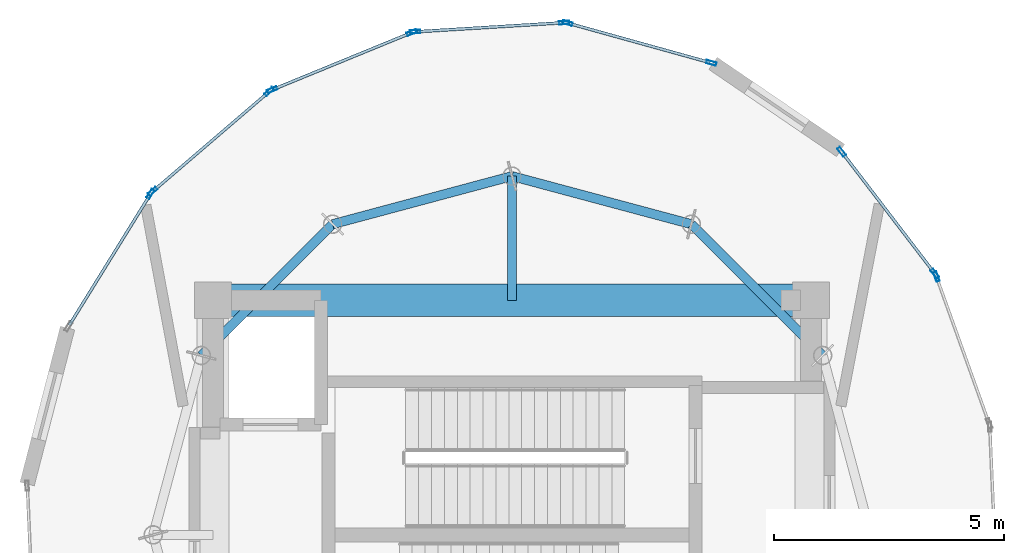
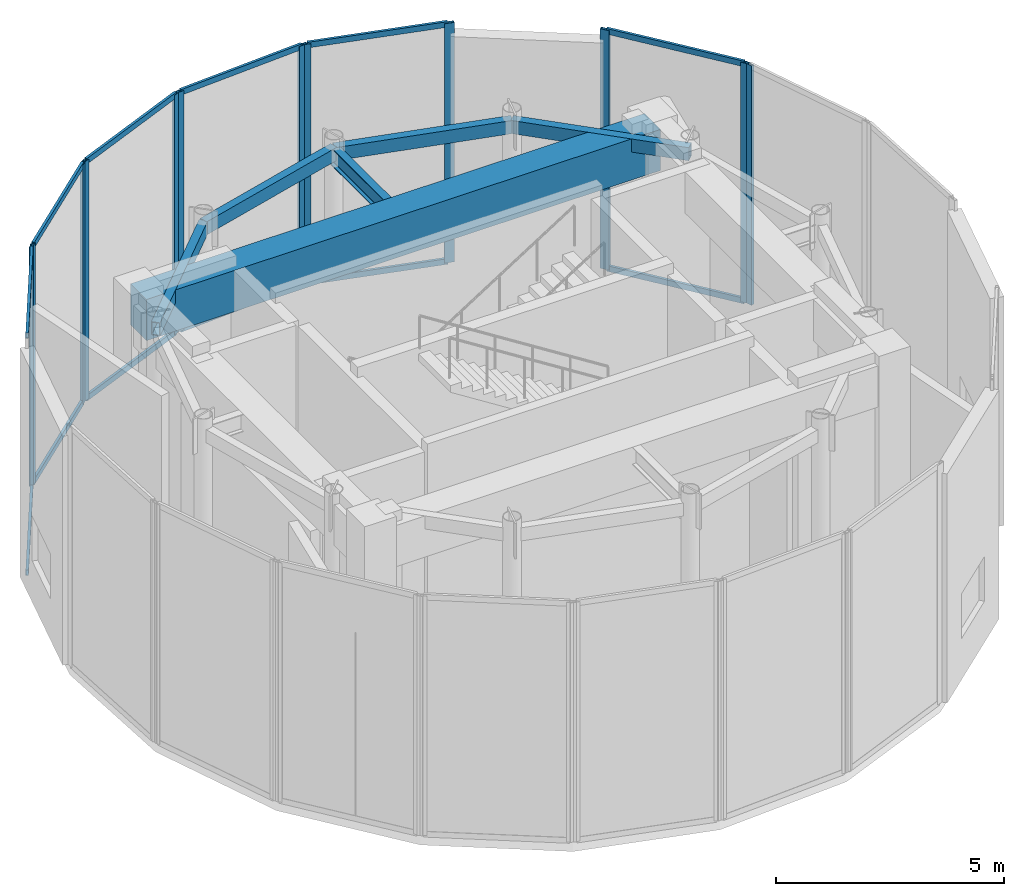
# One storey, part 5 of 8: 24 members, 6 beams, 7 elements without a shape of their own.
"""IFC4 building model written with IfcOpenShell, lengths in metres."""

from ifc_helpers import new_model, si_unit, direction, frame, origin, origin_2d, place, context, subcontext, project, spatial, rectangle, hollow_rectangle, i_section, extrude, source, transform, mapped, material, layer, layer_set, material_profile, profile_set, type_object, element, aggregate, save


model = new_model("IFC4")

# Units and contexts
model_context = context("Model", 3, precision=1e-05, world=origin(), true_north=direction((0.0, 1.0)))
body_context = subcontext(model_context, "Body", "Model", "MODEL_VIEW")
ifc_project = project(units=[si_unit("LENGTHUNIT", "METRE"), si_unit("AREAUNIT", "SQUARE_METRE"), si_unit("VOLUMEUNIT", "CUBIC_METRE"), si_unit("PLANEANGLEUNIT", "RADIAN"), si_unit("MASSUNIT", "GRAM", prefix="KILO")], contexts=[model_context])

# Site, building, storey
site_placement = place(None, origin())
site = spatial("IfcSite", under=ifc_project, at=site_placement, CompositionType="ELEMENT")
building_placement = place(site_placement, origin())
building = spatial("IfcBuilding", under=site, at=building_placement, Name="Solvirekh Grand Hotel", CompositionType="ELEMENT")
storey_placement = place(building_placement, frame((0.0, 0.0, 321.0)))
storey = spatial("IfcBuildingStorey", under=building, at=storey_placement, Name="L81", CompositionType="ELEMENT", Elevation=321.0)

# Beams
ifc_material_1 = material(Name="Concrete C60/75", Category="concrete")
ifc_material_profile_1 = material_profile(ifc_material_1, rectangle(XDim=0.699951171875, YDim=1.10009765625, at=origin_2d()), Name="RC BEAM 700X1100")
ifc_profile_set_1 = profile_set([ifc_material_profile_1], Name="Concrete C60/75")
beam_type_1 = type_object("IfcBeamType", Name="Beam_Core_RC1100", PredefinedType="BEAM", material=ifc_profile_set_1)
beam_1_placement = place(storey_placement, frame((6.5, 5.10009765625, 5.570068359375), z_axis=(-1.0, 0.0, 0.0), x_axis=(0.0, -1.0, 0.0)))
element("IfcBeam", 1, at=beam_1_placement, inside=storey, type_object=beam_type_1, Name="L81 core coupling ring beam 3", PredefinedType="BEAM", context=body_context, shape_type="SweptSolid", body=[
    extrude(rectangle(XDim=0.699951171875, YDim=1.10009765625, at=origin_2d()), origin(), (0.0, 0.0, 1.0), 13.0),
])
ifc_material_2 = material(Name="Steel S355", Category="steel")
ifc_material_profile_2 = material_profile(ifc_material_2, i_section(OverallWidth=0.194091796875, OverallDepth=0.468994140625, WebThickness=0.010986328125, FlangeThickness=0.01904296875, FilletRadius=0.012939453125, at=origin_2d()), Name="W460X106")
ifc_profile_set_2 = profile_set([ifc_material_profile_2], Name="Steel S355")
beam_type_2 = type_object("IfcBeamType", Name="Beam_Radial_W460H", PredefinedType="BEAM", material=ifc_profile_set_2)
beam_2_placement = place(storey_placement, frame((0.0, 5.10009765625, 5.885009765625), z_axis=(0.0, 1.0, 0.0), x_axis=(-1.0, 0.0, 0.0)))
element("IfcBeam", 2, at=beam_2_placement, inside=storey, type_object=beam_type_2, Name="L81 radial floor beam R04", PredefinedType="BEAM", context=body_context, shape_type="SweptSolid", body=[
    extrude(i_section(OverallWidth=0.194091796875, OverallDepth=0.468994140625, WebThickness=0.010986328125, FlangeThickness=0.01904296875, FilletRadius=0.012939453125, at=origin_2d()), origin(), (0.0, 0.0, 1.0), 2.699951171875),
])
ifc_material_profile_3 = material_profile(ifc_material_2, hollow_rectangle(XDim=0.199951171875, YDim=0.35009765625, WallThickness=0.013916015625, at=origin_2d()), Name="RHS 350X200X14")
ifc_profile_set_3 = profile_set([ifc_material_profile_3], Name="Steel S355")
beam_type_3 = type_object("IfcBeamType", Name="Spandrel_Crown_RHS350", PredefinedType="SPANDREL", material=ifc_profile_set_3)
for number, where, z_axis, x_axis, name in (
    (3, (6.7548828125, 3.89990234375, 5.945068359375), (-0.707106781187, 0.707106781187, 0.0), (-0.707106781187, -0.707106781187, 0.0), "L81 perimeter spandrel beam 2"),
    (4, (3.89990234375, 6.7548828125, 5.945068359375), (-0.965914040095, 0.258863027773, 0.0), (-0.258863027773, -0.965914040095, 0.0), "L81 perimeter spandrel beam 3"),
    (5, (0.0, 7.800048828125, 5.945068359375), (-0.965914040095, -0.258863027773, 0.0), (0.258863027773, -0.965914040095, 0.0), "L81 perimeter spandrel beam 4"),
    (6, (-3.89990234375, 6.7548828125, 5.945068359375), (-0.707106781187, -0.707106781187, 0.0), (0.707106781187, -0.707106781187, 0.0), "L81 perimeter spandrel beam 5"),
):
    element("IfcBeam", number, at=place(storey_placement, frame(where, z_axis=z_axis, x_axis=x_axis)), inside=storey, type_object=beam_type_3, Name=name, PredefinedType="SPANDREL", context=body_context, shape_type="SweptSolid", body=[
        extrude(hollow_rectangle(XDim=0.199951171875, YDim=0.35009765625, WallThickness=0.013916015625, at=origin_2d()), origin(), (0.0, 0.0, 1.0), 4.03759765625),
    ])

# Curtain wall, member
ifc_material_3 = material(Name="Anodized Bronze Aluminium 6063-T6", Category="aluminium")
ifc_layer = layer(ifc_material_3, 0.219970703125)
ifc_layer_set = layer_set([ifc_layer], Name="Anodized Bronze Aluminium 6063-T6")
curtain_wall_type = type_object("IfcCurtainWallType", Name="CW_Sys6_CrownFacetedPointCW", PredefinedType="NOTDEFINED", material=ifc_layer_set)
curtain_wall_1_placement = place(storey_placement, origin())
curtain_wall_1 = element("IfcCurtainWall", 7, at=curtain_wall_1_placement, inside=storey, type_object=curtain_wall_type, Name="L81 unitised bronze-glass curtain wall CW-L81-C07", PredefinedType="NOTDEFINED")
ifc_material_profile_4 = material_profile(ifc_material_3, hollow_rectangle(XDim=0.074951171875, YDim=0.219970703125, WallThickness=0.006103515625, at=origin_2d()), Name="ALU RHS 220X75X6")
ifc_profile_set_4 = profile_set([ifc_material_profile_4], Name="Anodized Bronze Aluminium 6063-T6")
member_type_1 = type_object("IfcMemberType", Name="CWMullion_Sys6", PredefinedType="MULLION", material=ifc_profile_set_4)
shared_shape_1 = source(origin(), body_context, "Body", "SweptSolid", [
    extrude(hollow_rectangle(XDim=0.074951171875, YDim=0.219970703125, WallThickness=0.006103515625, at=origin_2d()), origin(), (0.0, 0.0, 1.0), 6.39990234375),
])
member_1_placement = place(storey_placement, frame((9.229736328125, 5.61572265625, 0.0), z_axis=(0.0, 0.0, 1.0), x_axis=(-0.941225242691, -0.337779576826, 0.0)))
member_1 = element("IfcMember", 8, at=member_1_placement, type_object=member_type_1, Name="U06 mullion 2", PredefinedType="MULLION", context=body_context, shape_type="MappedRepresentation", body=[
    mapped(shared_shape_1, transform((0.0, 0.0, 0.0), x_axis=(1.0, 0.0, 0.0), y_axis=(0.0, 1.0, 0.0), z_axis=(0.0, 0.0, 1.0), scale=1.0)),
])
aggregate(curtain_wall_1, [member_1])

# Curtain wall, members
curtain_wall_2_placement = place(storey_placement, origin())
curtain_wall_2 = element("IfcCurtainWall", 9, at=curtain_wall_2_placement, inside=storey, type_object=curtain_wall_type, Name="L81 unitised bronze-glass curtain wall CW-L81-C08", PredefinedType="NOTDEFINED")
member_2_placement = place(storey_placement, frame((9.194091796875, 5.6806640625, 0.0), z_axis=(0.0, 0.0, 1.0), x_axis=(-0.79415808591, -0.607711226311, 0.0)))
member_2 = element("IfcMember", 10, at=member_2_placement, type_object=member_type_1, Name="U06 mullion 1", PredefinedType="MULLION", context=body_context, shape_type="MappedRepresentation", body=[
    mapped(shared_shape_1, transform((0.0, 0.0, 0.0), x_axis=(1.0, 0.0, 0.0), y_axis=(0.0, 1.0, 0.0), z_axis=(0.0, 0.0, 1.0), scale=1.0)),
])
member_3_placement = place(storey_placement, frame((7.166748046875, 8.330322265625, 0.0), z_axis=(0.0, 0.0, 1.0), x_axis=(-0.79415808591, -0.607711226311, 0.0)))
member_3 = element("IfcMember", 11, at=member_3_placement, type_object=member_type_1, Name="U06 mullion 2", PredefinedType="MULLION", context=body_context, shape_type="MappedRepresentation", body=[
    mapped(shared_shape_1, transform((0.0, 0.0, 0.0), x_axis=(1.0, 0.0, 0.0), y_axis=(0.0, 1.0, 0.0), z_axis=(0.0, 0.0, 1.0), scale=1.0)),
])

curtain_wall_3_placement = place(storey_placement, origin())
curtain_wall_3 = element("IfcCurtainWall", 12, at=curtain_wall_3_placement, inside=storey, type_object=curtain_wall_type, Name="L81 unitised bronze-glass curtain wall CW-L81-C10", PredefinedType="NOTDEFINED")
member_4_placement = place(storey_placement, frame((4.3349609375, 10.260986328125, 0.0), z_axis=(0.0, 0.0, 1.0), x_axis=(-0.267395365432, -0.963586902436, 0.0)))
member_4 = element("IfcMember", 13, at=member_4_placement, type_object=member_type_1, Name="U06 mullion 1", PredefinedType="MULLION", context=body_context, shape_type="MappedRepresentation", body=[
    mapped(shared_shape_1, transform((0.0, 0.0, 0.0), x_axis=(1.0, 0.0, 0.0), y_axis=(0.0, 1.0, 0.0), z_axis=(0.0, 0.0, 1.0), scale=1.0)),
])
member_5_placement = place(storey_placement, frame((1.20703125, 11.12890625, 0.0), z_axis=(0.0, 0.0, 1.0), x_axis=(-0.267395365432, -0.963586902436, 0.0)))
member_5 = element("IfcMember", 14, at=member_5_placement, type_object=member_type_1, Name="U06 mullion 2", PredefinedType="MULLION", context=body_context, shape_type="MappedRepresentation", body=[
    mapped(shared_shape_1, transform((0.0, 0.0, 0.0), x_axis=(1.0, 0.0, 0.0), y_axis=(0.0, 1.0, 0.0), z_axis=(0.0, 0.0, 1.0), scale=1.0)),
])

curtain_wall_4_placement = place(storey_placement, origin())
curtain_wall_4 = element("IfcCurtainWall", 15, at=curtain_wall_4_placement, inside=storey, type_object=curtain_wall_type, Name="L81 unitised bronze-glass curtain wall CW-L81-C11", PredefinedType="NOTDEFINED")
member_6_placement = place(storey_placement, frame((1.133544921875, 11.13671875, 0.0), z_axis=(0.0, 0.0, 1.0), x_axis=(0.061122306981, -0.998130283875, 0.0)))
member_6 = element("IfcMember", 16, at=member_6_placement, type_object=member_type_1, Name="U06 mullion 1", PredefinedType="MULLION", context=body_context, shape_type="MappedRepresentation", body=[
    mapped(shared_shape_1, transform((0.0, 0.0, 0.0), x_axis=(1.0, 0.0, 0.0), y_axis=(0.0, 1.0, 0.0), z_axis=(0.0, 0.0, 1.0), scale=1.0)),
])
member_7_placement = place(storey_placement, frame((-2.106689453125, 10.938232421875, 0.0), z_axis=(0.0, 0.0, 1.0), x_axis=(0.061122306981, -0.998130283875, 0.0)))
member_7 = element("IfcMember", 17, at=member_7_placement, type_object=member_type_1, Name="U06 mullion 2", PredefinedType="MULLION", context=body_context, shape_type="MappedRepresentation", body=[
    mapped(shared_shape_1, transform((0.0, 0.0, 0.0), x_axis=(1.0, 0.0, 0.0), y_axis=(0.0, 1.0, 0.0), z_axis=(0.0, 0.0, 1.0), scale=1.0)),
])

curtain_wall_5_placement = place(storey_placement, origin())
curtain_wall_5 = element("IfcCurtainWall", 18, at=curtain_wall_5_placement, inside=storey, type_object=curtain_wall_type, Name="L81 unitised bronze-glass curtain wall CW-L81-C12", PredefinedType="NOTDEFINED")
member_8_placement = place(storey_placement, frame((-2.1787109375, 10.921875, 0.0), z_axis=(0.0, 0.0, 1.0), x_axis=(0.379340525801, -0.925257134793, 0.0)))
member_8 = element("IfcMember", 19, at=member_8_placement, type_object=member_type_1, Name="U06 mullion 1", PredefinedType="MULLION", context=body_context, shape_type="MappedRepresentation", body=[
    mapped(shared_shape_1, transform((0.0, 0.0, 0.0), x_axis=(1.0, 0.0, 0.0), y_axis=(0.0, 1.0, 0.0), z_axis=(0.0, 0.0, 1.0), scale=1.0)),
])
member_9_placement = place(storey_placement, frame((-5.21435546875, 9.67724609375, 0.0), z_axis=(0.0, 0.0, 1.0), x_axis=(0.379340525801, -0.925257134793, 0.0)))
member_9 = element("IfcMember", 20, at=member_9_placement, type_object=member_type_1, Name="U06 mullion 2", PredefinedType="MULLION", context=body_context, shape_type="MappedRepresentation", body=[
    mapped(shared_shape_1, transform((0.0, 0.0, 0.0), x_axis=(1.0, 0.0, 0.0), y_axis=(0.0, 1.0, 0.0), z_axis=(0.0, 0.0, 1.0), scale=1.0)),
])

curtain_wall_6_placement = place(storey_placement, origin())
curtain_wall_6 = element("IfcCurtainWall", 21, at=curtain_wall_6_placement, inside=storey, type_object=curtain_wall_type, Name="L81 unitised bronze-glass curtain wall CW-L81-C13", PredefinedType="NOTDEFINED")
member_10_placement = place(storey_placement, frame((-5.277587890625, 9.638671875, 0.0), z_axis=(0.0, 0.0, 1.0), x_axis=(0.650477485706, -0.759525536496, 0.0)))
member_10 = element("IfcMember", 22, at=member_10_placement, type_object=member_type_1, Name="U06 mullion 1", PredefinedType="MULLION", context=body_context, shape_type="MappedRepresentation", body=[
    mapped(shared_shape_1, transform((0.0, 0.0, 0.0), x_axis=(1.0, 0.0, 0.0), y_axis=(0.0, 1.0, 0.0), z_axis=(0.0, 0.0, 1.0), scale=1.0)),
])
member_11_placement = place(storey_placement, frame((-7.8115234375, 7.468505859375, 0.0), z_axis=(0.0, 0.0, 1.0), x_axis=(0.650477485706, -0.759525536496, 0.0)))
member_11 = element("IfcMember", 23, at=member_11_placement, type_object=member_type_1, Name="U06 mullion 2", PredefinedType="MULLION", context=body_context, shape_type="MappedRepresentation", body=[
    mapped(shared_shape_1, transform((0.0, 0.0, 0.0), x_axis=(1.0, 0.0, 0.0), y_axis=(0.0, 1.0, 0.0), z_axis=(0.0, 0.0, 1.0), scale=1.0)),
])

# Curtain wall, member
curtain_wall_7_placement = place(storey_placement, origin())
curtain_wall_7 = element("IfcCurtainWall", 24, at=curtain_wall_7_placement, inside=storey, type_object=curtain_wall_type, Name="L81 unitised bronze-glass curtain wall CW-L81-C14", PredefinedType="NOTDEFINED")
member_12_placement = place(storey_placement, frame((-7.859619140625, 7.412109375, 0.0), z_axis=(0.0, 0.0, 1.0), x_axis=(0.850388074808, -0.52615598659, 0.0)))
member_12 = element("IfcMember", 25, at=member_12_placement, type_object=member_type_1, Name="U06 mullion 1", PredefinedType="MULLION", context=body_context, shape_type="MappedRepresentation", body=[
    mapped(shared_shape_1, transform((0.0, 0.0, 0.0), x_axis=(1.0, 0.0, 0.0), y_axis=(0.0, 1.0, 0.0), z_axis=(0.0, 0.0, 1.0), scale=1.0)),
])

# Member
ifc_material_profile_5 = material_profile(ifc_material_3, hollow_rectangle(XDim=0.06494140625, YDim=0.14990234375, WallThickness=0.0048828125, at=origin_2d()), Name="ALU RHS 150X65X5")
ifc_profile_set_5 = profile_set([ifc_material_profile_5], Name="Anodized Bronze Aluminium 6063-T6")
member_type_2 = type_object("IfcMemberType", Name="CWTransom_Sys6", PredefinedType="USERDEFINED", material=ifc_profile_set_5)
shared_shape_2 = source(origin(), body_context, "Body", "SweptSolid", [
    extrude(hollow_rectangle(XDim=0.06494140625, YDim=0.14990234375, WallThickness=0.0048828125, at=origin_2d()), origin(), (0.0, 0.0, 1.0), 3.171142578125),
])
member_13_placement = place(storey_placement, frame((4.298828125, 10.27099609375, 0.032470703125), z_axis=(-0.963590671335, 0.267381783441, 0.0), x_axis=(-0.267381783441, -0.963590671335, 0.0)))
member_13 = element("IfcMember", 26, at=member_13_placement, type_object=member_type_2, Name="U06 transom 1.1", ObjectType="TRANSOM", PredefinedType="USERDEFINED", context=body_context, shape_type="MappedRepresentation", body=[
    mapped(shared_shape_2, transform((0.0, 0.0, 0.0), x_axis=(1.0, 0.0, 0.0), y_axis=(0.0, 1.0, 0.0), z_axis=(0.0, 0.0, 1.0), scale=1.0)),
])

member_14_placement = place(storey_placement, frame((4.298828125, 10.27099609375, 6.367431640625), z_axis=(-0.963590671335, 0.267381783441, 0.0), x_axis=(-0.267381783441, -0.963590671335, 0.0)))
member_14 = element("IfcMember", 27, at=member_14_placement, type_object=member_type_2, Name="U06 transom 1.2", ObjectType="TRANSOM", PredefinedType="USERDEFINED", context=body_context, shape_type="MappedRepresentation", body=[
    mapped(shared_shape_2, transform((0.0, 0.0, 0.0), x_axis=(1.0, 0.0, 0.0), y_axis=(0.0, 1.0, 0.0), z_axis=(0.0, 0.0, 1.0), scale=1.0)),
])

aggregate(curtain_wall_3, [member_4, member_5, member_13, member_14])

member_15_placement = place(storey_placement, frame((1.09619140625, 11.134521484375, 0.032470703125), z_axis=(-0.998129979245, -0.061127281413, 0.0), x_axis=(0.061127281413, -0.998129979245, 0.0)))
member_15 = element("IfcMember", 28, at=member_15_placement, type_object=member_type_2, Name="U06 transom 1.1", ObjectType="TRANSOM", PredefinedType="USERDEFINED", context=body_context, shape_type="MappedRepresentation", body=[
    mapped(shared_shape_2, transform((0.0, 0.0, 0.0), x_axis=(1.0, 0.0, 0.0), y_axis=(0.0, 1.0, 0.0), z_axis=(0.0, 0.0, 1.0), scale=1.0)),
])

member_16_placement = place(storey_placement, frame((1.09619140625, 11.134521484375, 6.367431640625), z_axis=(-0.998129979245, -0.061127281413, 0.0), x_axis=(0.061127281413, -0.998129979245, 0.0)))
member_16 = element("IfcMember", 29, at=member_16_placement, type_object=member_type_2, Name="U06 transom 1.2", ObjectType="TRANSOM", PredefinedType="USERDEFINED", context=body_context, shape_type="MappedRepresentation", body=[
    mapped(shared_shape_2, transform((0.0, 0.0, 0.0), x_axis=(1.0, 0.0, 0.0), y_axis=(0.0, 1.0, 0.0), z_axis=(0.0, 0.0, 1.0), scale=1.0)),
])

aggregate(curtain_wall_4, [member_6, member_7, member_15, member_16])

shared_shape_3 = source(origin(), body_context, "Body", "SweptSolid", [
    extrude(hollow_rectangle(XDim=0.06494140625, YDim=0.14990234375, WallThickness=0.0048828125, at=origin_2d()), origin(), (0.0, 0.0, 1.0), 3.205810546875),
])
member_17_placement = place(storey_placement, frame((-2.21337890625, 10.907470703125, 0.032470703125), z_axis=(-0.925265269476, -0.379320683725, 0.0), x_axis=(0.379320683725, -0.925265269476, 0.0)))
member_17 = element("IfcMember", 30, at=member_17_placement, type_object=member_type_2, Name="U06 transom 1.1", ObjectType="TRANSOM", PredefinedType="USERDEFINED", context=body_context, shape_type="MappedRepresentation", body=[
    mapped(shared_shape_3, transform((0.0, 0.0, 0.0), x_axis=(1.0, 0.0, 0.0), y_axis=(0.0, 1.0, 0.0), z_axis=(0.0, 0.0, 1.0), scale=1.0)),
])

member_18_placement = place(storey_placement, frame((-2.21337890625, 10.907470703125, 6.367431640625), z_axis=(-0.925265269476, -0.379320683725, 0.0), x_axis=(0.379320683725, -0.925265269476, 0.0)))
member_18 = element("IfcMember", 31, at=member_18_placement, type_object=member_type_2, Name="U06 transom 1.2", ObjectType="TRANSOM", PredefinedType="USERDEFINED", context=body_context, shape_type="MappedRepresentation", body=[
    mapped(shared_shape_3, transform((0.0, 0.0, 0.0), x_axis=(1.0, 0.0, 0.0), y_axis=(0.0, 1.0, 0.0), z_axis=(0.0, 0.0, 1.0), scale=1.0)),
])

aggregate(curtain_wall_5, [member_8, member_9, member_17, member_18])

shared_shape_4 = source(origin(), body_context, "Body", "SweptSolid", [
    extrude(hollow_rectangle(XDim=0.06494140625, YDim=0.14990234375, WallThickness=0.0048828125, at=origin_2d()), origin(), (0.0, 0.0, 1.0), 3.316650390625),
])
member_19_placement = place(storey_placement, frame((-7.87939453125, 7.380126953125, 0.032470703125), z_axis=(-0.526182278108, -0.850371807038, 0.0), x_axis=(0.850371807038, -0.526182278108, 0.0)))
member_19 = element("IfcMember", 32, at=member_19_placement, type_object=member_type_2, Name="U06 transom 1.1", ObjectType="TRANSOM", PredefinedType="USERDEFINED", context=body_context, shape_type="MappedRepresentation", body=[
    mapped(shared_shape_4, transform((0.0, 0.0, 0.0), x_axis=(1.0, 0.0, 0.0), y_axis=(0.0, 1.0, 0.0), z_axis=(0.0, 0.0, 1.0), scale=1.0)),
])

member_20_placement = place(storey_placement, frame((-7.87939453125, 7.380126953125, 6.367431640625), z_axis=(-0.526182278108, -0.850371807038, 0.0), x_axis=(0.850371807038, -0.526182278108, 0.0)))
member_20 = element("IfcMember", 33, at=member_20_placement, type_object=member_type_2, Name="U06 transom 1.2", ObjectType="TRANSOM", PredefinedType="USERDEFINED", context=body_context, shape_type="MappedRepresentation", body=[
    mapped(shared_shape_4, transform((0.0, 0.0, 0.0), x_axis=(1.0, 0.0, 0.0), y_axis=(0.0, 1.0, 0.0), z_axis=(0.0, 0.0, 1.0), scale=1.0)),
])

aggregate(curtain_wall_7, [member_12, member_19, member_20])

shared_shape_5 = source(origin(), body_context, "Body", "SweptSolid", [
    extrude(hollow_rectangle(XDim=0.06494140625, YDim=0.14990234375, WallThickness=0.0048828125, at=origin_2d()), origin(), (0.0, 0.0, 1.0), 3.26123046875),
])
member_21_placement = place(storey_placement, frame((9.17138671875, 5.71044921875, 0.032470703125), z_axis=(-0.607650154635, 0.794204815883, 0.0), x_axis=(-0.794204815883, -0.607650154635, 0.0)))
member_21 = element("IfcMember", 34, at=member_21_placement, type_object=member_type_2, Name="U06 transom 1.1", ObjectType="TRANSOM", PredefinedType="USERDEFINED", context=body_context, shape_type="MappedRepresentation", body=[
    mapped(shared_shape_5, transform((0.0, 0.0, 0.0), x_axis=(1.0, 0.0, 0.0), y_axis=(0.0, 1.0, 0.0), z_axis=(0.0, 0.0, 1.0), scale=1.0)),
])

member_22_placement = place(storey_placement, frame((9.17138671875, 5.71044921875, 6.367431640625), z_axis=(-0.607650154635, 0.794204815883, 0.0), x_axis=(-0.794204815883, -0.607650154635, 0.0)))
member_22 = element("IfcMember", 35, at=member_22_placement, type_object=member_type_2, Name="U06 transom 1.2", ObjectType="TRANSOM", PredefinedType="USERDEFINED", context=body_context, shape_type="MappedRepresentation", body=[
    mapped(shared_shape_5, transform((0.0, 0.0, 0.0), x_axis=(1.0, 0.0, 0.0), y_axis=(0.0, 1.0, 0.0), z_axis=(0.0, 0.0, 1.0), scale=1.0)),
])

aggregate(curtain_wall_2, [member_2, member_3, member_21, member_22])

shared_shape_6 = source(origin(), body_context, "Body", "SweptSolid", [
    extrude(hollow_rectangle(XDim=0.06494140625, YDim=0.14990234375, WallThickness=0.0048828125, at=origin_2d()), origin(), (0.0, 0.0, 1.0), 3.261474609375),
])
member_23_placement = place(storey_placement, frame((-5.305908203125, 9.6142578125, 0.032470703125), z_axis=(-0.759499614649, -0.650507751951, 0.0), x_axis=(0.650507751951, -0.759499614649, 0.0)))
member_23 = element("IfcMember", 36, at=member_23_placement, type_object=member_type_2, Name="U06 transom 1.1", ObjectType="TRANSOM", PredefinedType="USERDEFINED", context=body_context, shape_type="MappedRepresentation", body=[
    mapped(shared_shape_6, transform((0.0, 0.0, 0.0), x_axis=(1.0, 0.0, 0.0), y_axis=(0.0, 1.0, 0.0), z_axis=(0.0, 0.0, 1.0), scale=1.0)),
])

member_24_placement = place(storey_placement, frame((-5.305908203125, 9.6142578125, 6.367431640625), z_axis=(-0.759499614649, -0.650507751951, 0.0), x_axis=(0.650507751951, -0.759499614649, 0.0)))
member_24 = element("IfcMember", 37, at=member_24_placement, type_object=member_type_2, Name="U06 transom 1.2", ObjectType="TRANSOM", PredefinedType="USERDEFINED", context=body_context, shape_type="MappedRepresentation", body=[
    mapped(shared_shape_6, transform((0.0, 0.0, 0.0), x_axis=(1.0, 0.0, 0.0), y_axis=(0.0, 1.0, 0.0), z_axis=(0.0, 0.0, 1.0), scale=1.0)),
])

aggregate(curtain_wall_6, [member_10, member_11, member_23, member_24])

save(model, "model.ifc")
